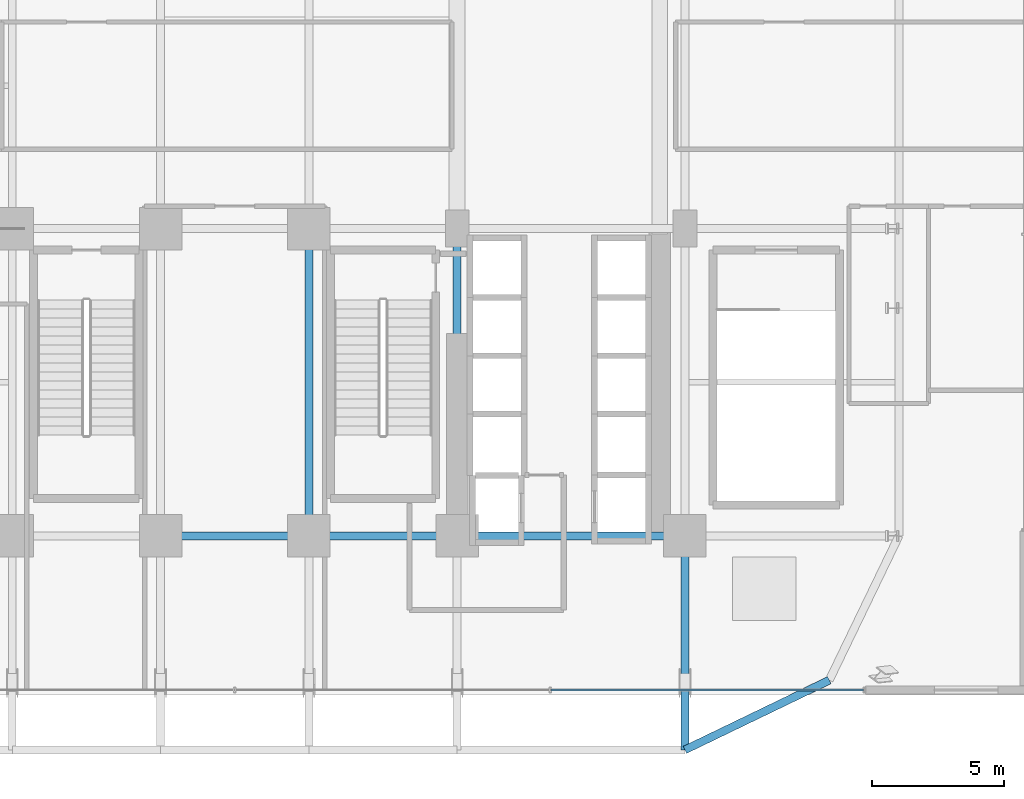
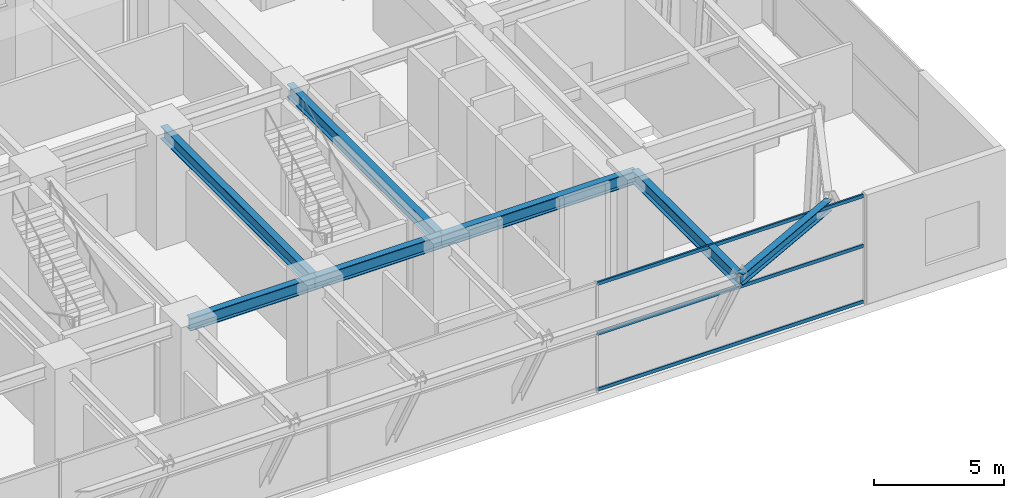
# One storey, part 7 of 29: 7 beams, 3 members, 1 element without a shape of its own.
"""IFC4 building model written with IfcOpenShell, lengths in metres."""

from ifc_helpers import new_model, si_unit, direction, frame, origin, origin_2d, place, context, subcontext, project, spatial, hollow_rectangle, i_section, extrude, source, transform, mapped, material, material_profile, profile_set, type_object, element, aggregate, save


model = new_model("IFC4")

# Units and contexts
model_context = context("Model", 3, precision=1e-05, world=origin(), true_north=direction((0.0, 1.0)))
body_context = subcontext(model_context, "Body", "Model", "MODEL_VIEW")
ifc_project = project(units=[si_unit("LENGTHUNIT", "METRE"), si_unit("AREAUNIT", "SQUARE_METRE"), si_unit("VOLUMEUNIT", "CUBIC_METRE"), si_unit("PLANEANGLEUNIT", "RADIAN"), si_unit("MASSUNIT", "GRAM", prefix="KILO")], contexts=[model_context])

# Site, building, storey
site_placement = place(None, origin())
site = spatial("IfcSite", under=ifc_project, at=site_placement, CompositionType="ELEMENT")
building_placement = place(site_placement, origin())
building = spatial("IfcBuilding", under=site, at=building_placement, Name="Nahalor Promenade Grand Hotel", CompositionType="ELEMENT")
storey_placement = place(building_placement, frame((0.0, 0.0, 27.0)))
storey = spatial("IfcBuildingStorey", under=building, at=storey_placement, Name="L05", CompositionType="ELEMENT", Elevation=27.0)

# Beams
ifc_material_1 = material(Name="Steel S355JR", Category="steel")
ifc_material_profile_1 = material_profile(ifc_material_1, i_section(OverallWidth=0.3, OverallDepth=0.6, WebThickness=0.0155, FlangeThickness=0.03, at=origin_2d()), Name="HEB 600")
ifc_profile_set_1 = profile_set([ifc_material_profile_1], Name="Steel S355JR")
beam_type_1 = type_object("IfcBeamType", Name="Beam-Girder-HEB600", PredefinedType="BEAM", material=ifc_profile_set_1)
shared_shape_1 = source(origin(), body_context, "Body", "SweptSolid", [
    extrude(i_section(OverallWidth=0.3, OverallDepth=0.6, WebThickness=0.0155, FlangeThickness=0.03, at=origin_2d()), origin(), (0.0, 0.0, 1.0), 8.60009765625),
])
beam_1_placement = place(storey_placement, frame((8.39990234375, -17.0, 4.820068359375), z_axis=(1.0, 0.0, 0.0), x_axis=(0.0, 1.0, 0.0)))
element("IfcBeam", 1, at=beam_1_placement, inside=storey, type_object=beam_type_1, Name="BM-L05-GX-0-5", PredefinedType="BEAM", context=body_context, shape_type="MappedRepresentation", body=[
    mapped(shared_shape_1, transform((0.0, 0.0, 0.0), scale=1.0)),
])
shared_shape_2 = source(origin(), body_context, "Body", "SweptSolid", [
    extrude(i_section(OverallWidth=0.3, OverallDepth=0.6, WebThickness=0.0155, FlangeThickness=0.03, at=origin_2d()), origin(), (0.0, 0.0, 1.0), 5.599853515625),
])
beam_2_placement = place(storey_placement, frame((2.800048828125, -17.0, 4.820068359375), z_axis=(1.0, 0.0, 0.0), x_axis=(0.0, 1.0, 0.0)))
element("IfcBeam", 2, at=beam_2_placement, inside=storey, type_object=beam_type_1, Name="BM-L05-GX-0-4", PredefinedType="BEAM", context=body_context, shape_type="MappedRepresentation", body=[
    mapped(shared_shape_2, transform((0.0, 0.0, 0.0), scale=1.0)),
])
shared_shape_3 = source(origin(), body_context, "Body", "SweptSolid", [
    extrude(i_section(OverallWidth=0.3, OverallDepth=0.6, WebThickness=0.0155, FlangeThickness=0.03, at=origin_2d()), origin(), (0.0, 0.0, 1.0), 5.60009765625),
])
beam_3_placement = place(storey_placement, frame((-2.800048828125, -17.0, 4.820068359375), z_axis=(1.0, 0.0, 0.0), x_axis=(0.0, 1.0, 0.0)))
element("IfcBeam", 3, at=beam_3_placement, inside=storey, type_object=beam_type_1, Name="BM-L05-GX-0-3", PredefinedType="BEAM", context=body_context, shape_type="MappedRepresentation", body=[
    mapped(shared_shape_3, transform((0.0, 0.0, 0.0), scale=1.0)),
])
shared_shape_4 = source(origin(), body_context, "Body", "SweptSolid", [
    extrude(i_section(OverallWidth=0.3, OverallDepth=0.6, WebThickness=0.0155, FlangeThickness=0.03, at=origin_2d()), origin(), (0.0, 0.0, 1.0), 11.60009765625),
])
for number, where, z_axis, x_axis, name in (
    (4, (2.800048828125, -17.0, 4.820068359375), (0.0, 1.0, 0.0), (-1.0, 0.0, 0.0), "BM-L05-GY-3-1"),
    (5, (8.39990234375, -17.0, 4.820068359375), (0.0, 1.0, 0.0), (-1.0, 0.0, 0.0), "BM-L05-GY-4-1"),
):
    element("IfcBeam", number, at=place(storey_placement, frame(where, z_axis=z_axis, x_axis=x_axis)), inside=storey, type_object=beam_type_1, Name=name, PredefinedType="BEAM", context=body_context, shape_type="MappedRepresentation", body=[
        mapped(shared_shape_4, transform((0.0, 0.0, 0.0), scale=1.0)),
    ])
shared_shape_5 = source(origin(), body_context, "Body", "SweptSolid", [
    extrude(i_section(OverallWidth=0.3, OverallDepth=0.6, WebThickness=0.0155, FlangeThickness=0.03, at=origin_2d()), origin(), (0.0, 0.0, 1.0), 8.080078125),
])
beam_4_placement = place(storey_placement, frame((17.0, -25.080078125, 4.820068359375), z_axis=(0.0, 1.0, 0.0), x_axis=(-1.0, 0.0, 0.0)))
element("IfcBeam", 6, at=beam_4_placement, inside=storey, type_object=beam_type_1, Name="BM-L05-GY-5-0", PredefinedType="BEAM", context=body_context, shape_type="MappedRepresentation", body=[
    mapped(shared_shape_5, transform((0.0, 0.0, 0.0), scale=1.0)),
])
ifc_material_profile_2 = material_profile(ifc_material_1, i_section(OverallWidth=0.3, OverallDepth=0.5, WebThickness=0.0145, FlangeThickness=0.028, at=origin_2d()), Name="HEB 500")
ifc_profile_set_2 = profile_set([ifc_material_profile_2], Name="Steel S355JR")
beam_type_2 = type_object("IfcBeamType", Name="Beam-Spandrel-HEB500", PredefinedType="SPANDREL", material=ifc_profile_set_2)
shared_shape_6 = source(origin(), body_context, "Body", "SweptSolid", [
    extrude(i_section(OverallWidth=0.3, OverallDepth=0.5, WebThickness=0.0145, FlangeThickness=0.028, at=origin_2d()), origin(), (0.0, 0.0, 1.0), 6.051513671875),
])
beam_5_placement = place(storey_placement, frame((17.0, -25.080078125, 4.8701171875), z_axis=(0.900608818852, 0.434630596492, 0.0), x_axis=(-0.434630596492, 0.900608818852, 0.0)))
element("IfcBeam", 7, at=beam_5_placement, inside=storey, type_object=beam_type_2, Name="BM-L05-SPC-SE-1", PredefinedType="SPANDREL", context=body_context, shape_type="MappedRepresentation", body=[
    mapped(shared_shape_6, transform((0.0, 0.0, 0.0), scale=1.0)),
])

# Curtain wall, members
ifc_material_2 = material(Name="Anodised Bronze Aluminium EN AW-6063 T6", Category="aluminium")
curtain_wall_type = type_object("IfcCurtainWallType", Name="CW1 Waterfront Podium Bronze Arcade Curtain Wall", PredefinedType="USERDEFINED", material=ifc_material_2)
curtain_wall_placement = place(storey_placement, origin())
curtain_wall = element("IfcCurtainWall", 8, at=curtain_wall_placement, inside=storey, type_object=curtain_wall_type, Name="L05 Curtain Wall CW-L05-S", ObjectType="UNITISED_CURTAIN_WALL", PredefinedType="USERDEFINED")
ifc_material_profile_3 = material_profile(ifc_material_2, hollow_rectangle(XDim=0.08, YDim=0.16, WallThickness=0.004, at=origin_2d()), Name="CWT 80x160x4")
ifc_profile_set_3 = profile_set([ifc_material_profile_3], Name="Anodised Bronze Aluminium EN AW-6063 T6")
member_type = type_object("IfcMemberType", Name="CWT1 Podium Bronze Transom 80x160", PredefinedType="USERDEFINED", material=ifc_profile_set_3)
shared_shape_7 = source(origin(), body_context, "Body", "SweptSolid", [
    extrude(hollow_rectangle(XDim=0.08, YDim=0.16, WallThickness=0.004, at=origin_2d()), origin(), (0.0, 0.0, 1.0), 11.7900390625),
])
member_1_placement = place(storey_placement, frame((11.949951171875, -22.820068359375, 0.080078125), z_axis=(1.0, 0.0, 0.0), x_axis=(0.0, 1.0, 0.0)))
member_1 = element("IfcMember", 9, at=member_1_placement, type_object=member_type, Name="CW-L05-S Transom 3-0", ObjectType="TRANSOM", PredefinedType="USERDEFINED", context=body_context, shape_type="MappedRepresentation", body=[
    mapped(shared_shape_7, transform((0.0, 0.0, 0.0), scale=1.0)),
])
member_2_placement = place(storey_placement, frame((11.949951171875, -22.820068359375, 2.699951171875), z_axis=(1.0, 0.0, 0.0), x_axis=(0.0, 1.0, 0.0)))
member_2 = element("IfcMember", 10, at=member_2_placement, type_object=member_type, Name="CW-L05-S Transom 3-1", ObjectType="TRANSOM", PredefinedType="USERDEFINED", context=body_context, shape_type="MappedRepresentation", body=[
    mapped(shared_shape_7, transform((0.0, 0.0, 0.0), scale=1.0)),
])
member_3_placement = place(storey_placement, frame((11.949951171875, -22.820068359375, 5.0400390625), z_axis=(1.0, 0.0, 0.0), x_axis=(0.0, 1.0, 0.0)))
member_3 = element("IfcMember", 11, at=member_3_placement, type_object=member_type, Name="CW-L05-S Transom 3-2", ObjectType="TRANSOM", PredefinedType="USERDEFINED", context=body_context, shape_type="MappedRepresentation", body=[
    mapped(shared_shape_7, transform((0.0, 0.0, 0.0), scale=1.0)),
])
aggregate(curtain_wall, [member_1, member_2, member_3])

save(model, "model.ifc")
